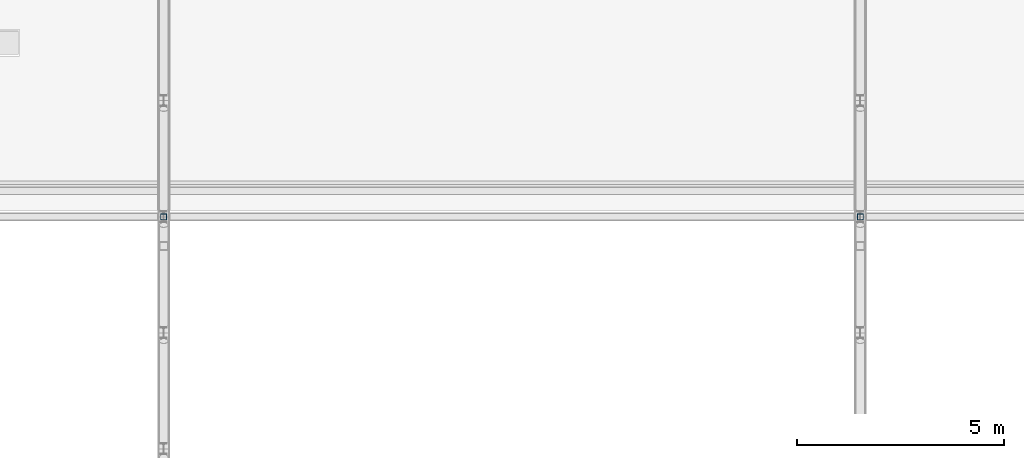
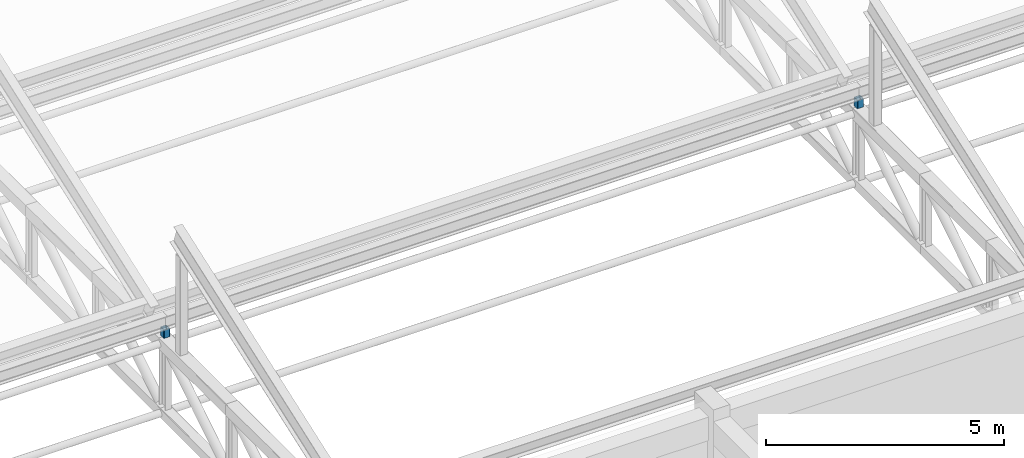
# One storey, part 55 of 101: 2 members.
"""IFC4 building model written with IfcOpenShell, lengths in metres."""

from ifc_helpers import new_model, si_unit, direction, frame, origin, origin_2d, place, context, subcontext, project, spatial, hollow_rectangle, extrude, material, material_profile, profile_set, type_object, element, save


model = new_model("IFC4")

# Units and contexts
model_context = context("Model", 3, precision=1e-05, world=origin(), true_north=direction((0.0, 1.0)))
body_context = subcontext(model_context, "Body", "Model", "MODEL_VIEW")
ifc_project = project(units=[si_unit("LENGTHUNIT", "METRE"), si_unit("AREAUNIT", "SQUARE_METRE"), si_unit("VOLUMEUNIT", "CUBIC_METRE"), si_unit("PLANEANGLEUNIT", "RADIAN"), si_unit("MASSUNIT", "GRAM", prefix="KILO")], contexts=[model_context])

# Site, building, storey
site_placement = place(None, origin())
site = spatial("IfcSite", under=ifc_project, at=site_placement, CompositionType="ELEMENT")
building_placement = place(site_placement, origin())
building = spatial("IfcBuilding", under=site, at=building_placement, Name="Fescue Hill Polytechnic", CompositionType="ELEMENT")
storey_placement = place(building_placement, frame((0.0, 0.0, 9.0)))
storey = spatial("IfcBuildingStorey", under=building, at=storey_placement, Name="L02", CompositionType="ELEMENT", Elevation=9.0)

# Members
ifc_material = material(Name="Steel 350W (350 MPa)", Category="steel")
ifc_material_profile = material_profile(ifc_material, hollow_rectangle(XDim=0.15234375, YDim=0.15234375, WallThickness=0.009521484375, InnerFilletRadius=0.009521484375, OuterFilletRadius=0.01904296875, at=origin_2d()), Name="Valley bearing post HSS 152x152x9.5")
ifc_profile_set = profile_set([ifc_material_profile], Name="Steel 350W (350 MPa)")
member_type = type_object("IfcMemberType", Name="Valley bearing post HSS 152x152x9.5", PredefinedType="POST", material=ifc_profile_set)
for number, where, z_axis, x_axis, name in (
    (1, (33.60009765625, 25.199951171875, 3.93603515625), (0.0, 0.0, 1.0), (1.0, 0.0, 0.0), "Valley 2 bearing post on TR3"),
    (2, (50.39990234375, 25.199951171875, 3.93603515625), (0.0, 0.0, 1.0), (1.0, 0.0, 0.0), "Valley 2 bearing post on TR4"),
):
    element("IfcMember", number, at=place(storey_placement, frame(where, z_axis=z_axis, x_axis=x_axis)), inside=storey, type_object=member_type, Name=name, PredefinedType="POST", context=body_context, shape_type="SweptSolid", body=[
        extrude(hollow_rectangle(XDim=0.15234375, YDim=0.15234375, WallThickness=0.009521484375, InnerFilletRadius=0.009521484375, OuterFilletRadius=0.01904296875, at=origin_2d()), origin(), (0.0, 0.0, 1.0), 0.2138671875),
    ])

save(model, "model.ifc")
